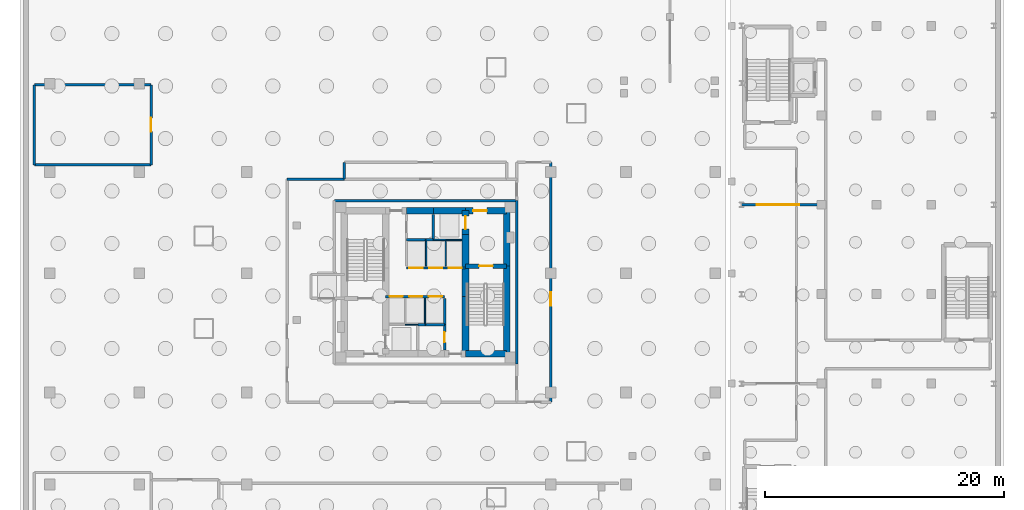
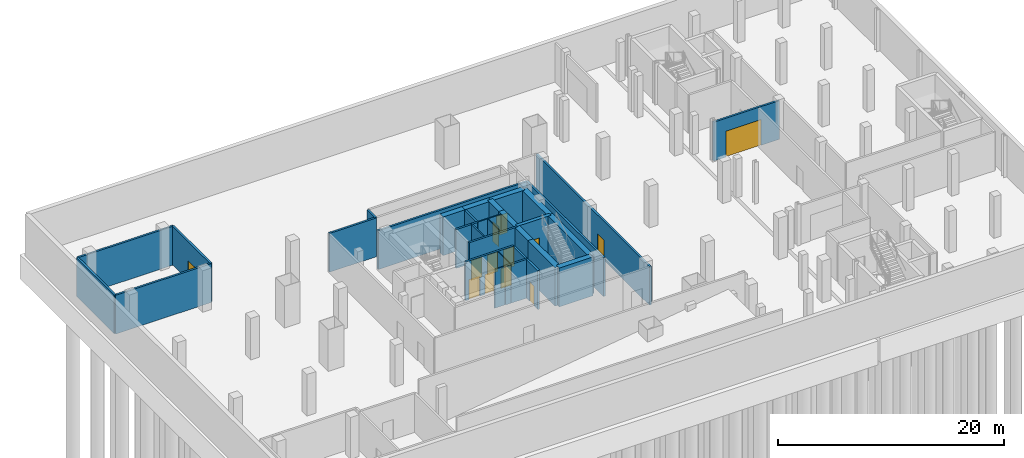
# One storey, part 8 of 15: 36 walls, 13 doors, 13 openings.
"""IFC4 building model written with IfcOpenShell, lengths in metres."""

from ifc_helpers import new_model, si_unit, direction, frame, frame_2d, origin, place, context, subcontext, project, spatial, rectangle, extrude, material, layer, layer_set, type_object, element, fill, save


model = new_model("IFC4")

# Units and contexts
model_context = context("Model", 3, precision=1e-05, world=origin(), true_north=direction((0.0, 1.0)))
body_context = subcontext(model_context, "Body", "Model", "MODEL_VIEW")
ifc_project = project(units=[si_unit("LENGTHUNIT", "METRE"), si_unit("AREAUNIT", "SQUARE_METRE"), si_unit("VOLUMEUNIT", "CUBIC_METRE"), si_unit("PLANEANGLEUNIT", "RADIAN"), si_unit("MASSUNIT", "GRAM", prefix="KILO")], contexts=[model_context])

# Site, building, storey
site_placement = place(None, origin())
site = spatial("IfcSite", under=ifc_project, at=site_placement, CompositionType="ELEMENT")
building_placement = place(site_placement, origin())
building = spatial("IfcBuilding", under=site, at=building_placement, Name="Mersakhor Tower and Convention Hall", CompositionType="ELEMENT")
storey_placement = place(building_placement, frame((0.0, 0.0, -9.0)))
storey = spatial("IfcBuildingStorey", under=building, at=storey_placement, Name="B02", CompositionType="ELEMENT", Elevation=-9.0)

# Walls
ifc_material_1 = material(Name="Lightweight gypsum partition", Category="other")
ifc_layer_1 = layer(ifc_material_1, 0.10009765625)
ifc_layer_set_1 = layer_set([ifc_layer_1], Name="Lightweight gypsum partition")
wall_type_1 = type_object("IfcWallType", Name="WL-PRT-100", PredefinedType="PARTITIONING", material=ifc_layer_set_1)
wall_1_placement = place(storey_placement, frame((27.300048828125, 23.199951171875, 0.0), z_axis=(0.0, 0.0, 1.0), x_axis=(1.0, 0.0, 0.0)))
element("IfcWall", 1, at=wall_1_placement, inside=storey, type_object=wall_type_1, Name="B02 Interior Partition Wall P-002", PredefinedType="PARTITIONING", context=body_context, shape_type="SweptSolid", body=[
    extrude(rectangle(XDim=1.050048828125, YDim=0.10009765625, at=frame_2d((0.52490234375, 0.0))), origin(), (0.0, 0.0, 1.0), 4.199951171875),
])
wall_2_placement = place(storey_placement, frame((32.02490234375, 30.300048828125, 0.0), z_axis=(0.0, 0.0, 1.0), x_axis=(-1.0, 0.0, 0.0)))
element("IfcWall", 2, at=wall_2_placement, inside=storey, type_object=wall_type_1, Name="B02 Interior Partition Wall P-004", PredefinedType="PARTITIONING", context=body_context, shape_type="SweptSolid", body=[
    extrude(rectangle(XDim=1.324951171875, YDim=0.10009765625, at=frame_2d((0.66259765625, 0.0))), origin(), (0.0, 0.0, 1.0), 4.199951171875),
])
for number, where, z_axis, x_axis, name in (
    (3, (28.949951171875, 25.39990234375, 0.0), (0.0, 0.0, 1.0), (0.0, -1.0, 0.0), "B02 Interior Partition Wall P-008"),
    (4, (30.699951171875, 30.300048828125, 0.0), (0.0, 0.0, 1.0), (0.0, -1.0, 0.0), "B02 Interior Partition Wall P-016"),
):
    element("IfcWall", number, at=place(storey_placement, frame(where, z_axis=z_axis, x_axis=x_axis)), inside=storey, type_object=wall_type_1, Name=name, PredefinedType="PARTITIONING", context=body_context, shape_type="SweptSolid", body=[
        extrude(rectangle(XDim=2.199951171875, YDim=0.10009765625, at=frame_2d((1.10009765625, 0.0))), origin(), (0.0, 0.0, 1.0), 4.199951171875),
    ])
ifc_material_2 = material(Name="Gypsum board acoustic partition", Category="other")
ifc_layer_2 = layer(ifc_material_2, 0.125)
ifc_layer_set_2 = layer_set([ifc_layer_2], Name="Gypsum board acoustic partition")
wall_type_2 = type_object("IfcWallType", Name="WL-PRT-125", PredefinedType="PARTITIONING", material=ifc_layer_set_2)
wall_3_placement = place(storey_placement, frame((30.699951171875, 30.300048828125, 0.0), z_axis=(0.0, 0.0, 1.0), x_axis=(-1.0, 0.0, 0.0)))
element("IfcWall", 5, at=wall_3_placement, inside=storey, type_object=wall_type_2, Name="B02 Interior Partition Wall P-005", PredefinedType="PARTITIONING", context=body_context, shape_type="SweptSolid", body=[
    extrude(rectangle(XDim=1.050048828125, YDim=0.125, at=frame_2d((0.52490234375, 0.0))), origin(), (0.0, 0.0, 1.0), 4.199951171875),
])
wall_4_placement = place(storey_placement, frame((29.050048828125, 30.300048828125, 0.0), z_axis=(0.0, 0.0, 1.0), x_axis=(0.0, -1.0, 0.0)))
element("IfcWall", 6, at=wall_4_placement, inside=storey, type_object=wall_type_2, Name="B02 Interior Partition Wall P-013", PredefinedType="PARTITIONING", context=body_context, shape_type="SweptSolid", body=[
    extrude(rectangle(XDim=2.199951171875, YDim=0.125, at=frame_2d((1.10009765625, 0.0))), origin(), (0.0, 0.0, 1.0), 4.199951171875),
])

# Wall, openings, doors
ifc_material_3 = material(Name="Acoustic concrete blockwork and gypsum board", Category="masonry")
ifc_layer_3 = layer(ifc_material_3, 0.199951171875)
ifc_layer_set_3 = layer_set([ifc_layer_3], Name="Acoustic concrete blockwork and gypsum board")
wall_type_3 = type_object("IfcWallType", Name="WL-PRT-200", PredefinedType="PARTITIONING", material=ifc_layer_set_3)
wall_5_placement = place(storey_placement, frame((25.64990234375, 25.550048828125, 0.0), z_axis=(0.0, 0.0, 1.0), x_axis=(1.0, 0.0, 0.0)))
wall_5 = element("IfcWall", 7, at=wall_5_placement, inside=storey, type_object=wall_type_3, Name="B02 High-Rise Lift Bank Front Wall", PredefinedType="PARTITIONING", context=body_context, shape_type="SweptSolid", body=[
    extrude(rectangle(XDim=4.9501953125, YDim=0.199951171875, at=frame_2d((2.47509765625, 0.0))), origin(), (0.0, 0.0, 1.0), 4.199951171875),
])
opening_1_placement = place(wall_5_placement, frame((0.340087890625, 0.0, 0.0)))
opening_1 = element("IfcOpeningElement", 8, at=opening_1_placement, cuts=wall_5, Name="Opening LD-P4", PredefinedType="OPENING", context=body_context, shape_type="SweptSolid", body=[
    extrude(rectangle(XDim=1.10009765625, YDim=2.14990234375, at=frame_2d((0.550048828125, 1.074951171875))), frame((0.0, 0.10986328125, 0.0), z_axis=(0.0, -1.0, 0.0), x_axis=(1.0, 0.0, 0.0)), (0.0, 0.0, 1.0), 0.219970703125),
])
opening_2_placement = place(wall_5_placement, frame((1.989990234375, 0.0, 0.0)))
opening_2 = element("IfcOpeningElement", 9, at=opening_2_placement, cuts=wall_5, Name="Opening LD-P5", PredefinedType="OPENING", context=body_context, shape_type="SweptSolid", body=[
    extrude(rectangle(XDim=1.10009765625, YDim=2.14990234375, at=frame_2d((0.550048828125, 1.074951171875))), frame((0.0, 0.10986328125, 0.0), z_axis=(0.0, -1.0, 0.0), x_axis=(1.0, 0.0, 0.0)), (0.0, 0.0, 1.0), 0.219970703125),
])
opening_3_placement = place(wall_5_placement, frame((3.639892578125, 0.0, 0.0)))
opening_3 = element("IfcOpeningElement", 10, at=opening_3_placement, cuts=wall_5, Name="Opening LD-P6", PredefinedType="OPENING", context=body_context, shape_type="SweptSolid", body=[
    extrude(rectangle(XDim=1.10009765625, YDim=2.14990234375, at=frame_2d((0.550048828125, 1.074951171875))), frame((0.0, 0.10986328125, 0.0), z_axis=(0.0, -1.0, 0.0), x_axis=(1.0, 0.0, 0.0)), (0.0, 0.0, 1.0), 0.219970703125),
])
ifc_material_4 = material(Name="Fire-rated brushed stainless steel sliding landing door", Category="steel")
door_type_1 = type_object("IfcDoorType", Name="DR-LIFT-SLD-110x215", OperationType="NOTDEFINED", PredefinedType="DOOR", material=ifc_material_4)
door_1_placement = place(opening_1_placement, origin())
door_1 = element("IfcDoor", 11, at=door_1_placement, inside=storey, type_object=door_type_1, Name="B02 Lift Landing Door LD-P4", OperationType="SLIDING_TO_LEFT", OverallHeight=2.14990234375, OverallWidth=1.10009765625, PredefinedType="DOOR", context=body_context, shape_type="SweptSolid", body=[
    extrude(rectangle(XDim=1.10009765625, YDim=2.14990234375, at=frame_2d((0.550048828125, 1.074951171875))), frame((0.0, 0.02490234375, 0.0), z_axis=(0.0, -1.0, 0.0), x_axis=(1.0, 0.0, 0.0)), (0.0, 0.0, 1.0), 0.050048828125),
])
fill(opening_1, door_1)
door_2_placement = place(opening_2_placement, origin())
door_2 = element("IfcDoor", 12, at=door_2_placement, inside=storey, type_object=door_type_1, Name="B02 Lift Landing Door LD-P5", OperationType="SLIDING_TO_LEFT", OverallHeight=2.14990234375, OverallWidth=1.10009765625, PredefinedType="DOOR", context=body_context, shape_type="SweptSolid", body=[
    extrude(rectangle(XDim=1.10009765625, YDim=2.14990234375, at=frame_2d((0.550048828125, 1.074951171875))), frame((0.0, 0.02490234375, 0.0), z_axis=(0.0, -1.0, 0.0), x_axis=(1.0, 0.0, 0.0)), (0.0, 0.0, 1.0), 0.050048828125),
])
fill(opening_2, door_2)
door_3_placement = place(opening_3_placement, origin())
door_3 = element("IfcDoor", 13, at=door_3_placement, inside=storey, type_object=door_type_1, Name="B02 Lift Landing Door LD-P6", OperationType="SLIDING_TO_LEFT", OverallHeight=2.14990234375, OverallWidth=1.10009765625, PredefinedType="DOOR", context=body_context, shape_type="SweptSolid", body=[
    extrude(rectangle(XDim=1.10009765625, YDim=2.14990234375, at=frame_2d((0.550048828125, 1.074951171875))), frame((0.0, 0.02490234375, 0.0), z_axis=(0.0, -1.0, 0.0), x_axis=(1.0, 0.0, 0.0)), (0.0, 0.0, 1.0), 0.050048828125),
])
fill(opening_3, door_3)

wall_6_placement = place(storey_placement, frame((27.39990234375, 27.949951171875, 0.0), z_axis=(0.0, 0.0, 1.0), x_axis=(1.0, 0.0, 0.0)))
wall_6 = element("IfcWall", 14, at=wall_6_placement, inside=storey, type_object=wall_type_3, Name="B02 Low-Rise Lift Bank Front Wall", PredefinedType="PARTITIONING", context=body_context, shape_type="SweptSolid", body=[
    extrude(rectangle(XDim=4.9501953125, YDim=0.199951171875, at=frame_2d((2.47509765625, 0.0))), origin(), (0.0, 0.0, 1.0), 4.199951171875),
])
opening_4_placement = place(wall_6_placement, frame((0.25, 0.0, 0.0)))
opening_4 = element("IfcOpeningElement", 15, at=opening_4_placement, cuts=wall_6, Name="Opening LD-P1", PredefinedType="OPENING", context=body_context, shape_type="SweptSolid", body=[
    extrude(rectangle(XDim=1.10009765625, YDim=2.14990234375, at=frame_2d((0.550048828125, 1.074951171875))), frame((0.0, 0.10986328125, 0.0), z_axis=(0.0, -1.0, 0.0), x_axis=(1.0, 0.0, 0.0)), (0.0, 0.0, 1.0), 0.219970703125),
])
opening_5_placement = place(wall_6_placement, frame((1.89990234375, 0.0, 0.0)))
opening_5 = element("IfcOpeningElement", 16, at=opening_5_placement, cuts=wall_6, Name="Opening LD-P2", PredefinedType="OPENING", context=body_context, shape_type="SweptSolid", body=[
    extrude(rectangle(XDim=1.10009765625, YDim=2.14990234375, at=frame_2d((0.550048828125, 1.074951171875))), frame((0.0, 0.10986328125, 0.0), z_axis=(0.0, -1.0, 0.0), x_axis=(1.0, 0.0, 0.0)), (0.0, 0.0, 1.0), 0.219970703125),
])
opening_6_placement = place(wall_6_placement, frame((3.550048828125, 0.0, 0.0)))
opening_6 = element("IfcOpeningElement", 17, at=opening_6_placement, cuts=wall_6, Name="Opening LD-P3", PredefinedType="OPENING", context=body_context, shape_type="SweptSolid", body=[
    extrude(rectangle(XDim=1.10009765625, YDim=2.14990234375, at=frame_2d((0.550048828125, 1.074951171875))), frame((0.0, 0.10986328125, 0.0), z_axis=(0.0, -1.0, 0.0), x_axis=(1.0, 0.0, 0.0)), (0.0, 0.0, 1.0), 0.219970703125),
])
door_4_placement = place(opening_4_placement, origin())
door_4 = element("IfcDoor", 18, at=door_4_placement, inside=storey, type_object=door_type_1, Name="B02 Lift Landing Door LD-P1", OperationType="SLIDING_TO_LEFT", OverallHeight=2.14990234375, OverallWidth=1.10009765625, PredefinedType="DOOR", context=body_context, shape_type="SweptSolid", body=[
    extrude(rectangle(XDim=1.10009765625, YDim=2.14990234375, at=frame_2d((0.550048828125, 1.074951171875))), frame((0.0, 0.02490234375, 0.0), z_axis=(0.0, -1.0, 0.0), x_axis=(1.0, 0.0, 0.0)), (0.0, 0.0, 1.0), 0.050048828125),
])
fill(opening_4, door_4)
door_5_placement = place(opening_5_placement, origin())
door_5 = element("IfcDoor", 19, at=door_5_placement, inside=storey, type_object=door_type_1, Name="B02 Lift Landing Door LD-P2", OperationType="SLIDING_TO_LEFT", OverallHeight=2.14990234375, OverallWidth=1.10009765625, PredefinedType="DOOR", context=body_context, shape_type="SweptSolid", body=[
    extrude(rectangle(XDim=1.10009765625, YDim=2.14990234375, at=frame_2d((0.550048828125, 1.074951171875))), frame((0.0, 0.02490234375, 0.0), z_axis=(0.0, -1.0, 0.0), x_axis=(1.0, 0.0, 0.0)), (0.0, 0.0, 1.0), 0.050048828125),
])
fill(opening_5, door_5)
door_6_placement = place(opening_6_placement, origin())
door_6 = element("IfcDoor", 20, at=door_6_placement, inside=storey, type_object=door_type_1, Name="B02 Lift Landing Door LD-P3", OperationType="SLIDING_TO_LEFT", OverallHeight=2.14990234375, OverallWidth=1.10009765625, PredefinedType="DOOR", context=body_context, shape_type="SweptSolid", body=[
    extrude(rectangle(XDim=1.10009765625, YDim=2.14990234375, at=frame_2d((0.550048828125, 1.074951171875))), frame((0.0, 0.02490234375, 0.0), z_axis=(0.0, -1.0, 0.0), x_axis=(1.0, 0.0, 0.0)), (0.0, 0.0, 1.0), 0.050048828125),
])
fill(opening_6, door_6)

# Wall, opening, door
wall_7_placement = place(storey_placement, frame((55.5, 33.25, 0.0), z_axis=(0.0, 0.0, 1.0), x_axis=(1.0, 0.0, 0.0)))
wall_7 = element("IfcWall", 21, at=wall_7_placement, inside=storey, type_object=wall_type_3, Name="B02 Basement Fire Compartment Wall FG-3", PredefinedType="PARTITIONING", context=body_context, shape_type="SweptSolid", body=[
    extrude(rectangle(XDim=6.699951171875, YDim=0.199951171875, at=frame_2d((3.35009765625, 0.0))), origin(), (0.0, 0.0, 1.0), 4.199951171875),
])
opening_7_placement = place(wall_7_placement, frame((1.25, 0.0, 0.0)))
opening_7 = element("IfcOpeningElement", 22, at=opening_7_placement, cuts=wall_7, Name="Opening GATE-03", PredefinedType="OPENING", context=body_context, shape_type="SweptSolid", body=[
    extrude(rectangle(XDim=3.60009765625, YDim=2.800048828125, at=frame_2d((1.800048828125, 1.39990234375))), frame((0.0, 0.10986328125, 0.0), z_axis=(0.0, -1.0, 0.0), x_axis=(1.0, 0.0, 0.0)), (0.0, 0.0, 1.0), 0.219970703125),
])
ifc_material_5 = material(Name="Thermally broken dark aluminium and safety glass", Category="aluminium")
door_type_2 = type_object("IfcDoorType", Name="DR-GATE-BSM-360x280", OperationType="NOTDEFINED", PredefinedType="GATE", material=ifc_material_5)
door_7_placement = place(opening_7_placement, origin())
door_7 = element("IfcDoor", 23, at=door_7_placement, inside=storey, type_object=door_type_2, Name="B02 Basement Compartment Fire Shutter Gate BG-3", OperationType="ROLLINGUP", OverallHeight=2.800048828125, OverallWidth=3.60009765625, PredefinedType="GATE", context=body_context, shape_type="SweptSolid", body=[
    extrude(rectangle(XDim=3.60009765625, YDim=2.800048828125, at=frame_2d((1.800048828125, 1.39990234375))), frame((0.0, 0.02490234375, 0.0), z_axis=(0.0, -1.0, 0.0), x_axis=(1.0, 0.0, 0.0)), (0.0, 0.0, 1.0), 0.050048828125),
])
fill(opening_7, door_7)

# Walls
wall_8_placement = place(storey_placement, frame((29.64990234375, 30.300048828125, 0.0), z_axis=(0.0, 0.0, 1.0), x_axis=(0.0, 1.0, 0.0)))
element("IfcWall", 24, at=wall_8_placement, inside=storey, type_object=wall_type_3, Name="B02 Interior Partition Wall P-006", PredefinedType="PARTITIONING", context=body_context, shape_type="SweptSolid", body=[
    extrude(rectangle(XDim=2.125, YDim=0.199951171875, at=frame_2d((1.0625, 0.0))), origin(), (0.0, 0.0, 1.0), 4.199951171875),
])
wall_9_placement = place(storey_placement, frame((28.949951171875, 23.199951171875, 0.0), z_axis=(0.0, 0.0, 1.0), x_axis=(-1.0, 0.0, 0.0)))
element("IfcWall", 25, at=wall_9_placement, inside=storey, type_object=wall_type_3, Name="B02 Interior Partition Wall P-009", PredefinedType="PARTITIONING", context=body_context, shape_type="SweptSolid", body=[
    extrude(rectangle(XDim=0.570068359375, YDim=0.199951171875, at=frame_2d((0.28515625, 0.0))), origin(), (0.0, 0.0, 1.0), 4.199951171875),
])
wall_10_placement = place(storey_placement, frame((30.60009765625, 25.39990234375, 0.0), z_axis=(0.0, 0.0, 1.0), x_axis=(0.0, -1.0, 0.0)))
element("IfcWall", 26, at=wall_10_placement, inside=storey, type_object=wall_type_3, Name="B02 Interior Partition Wall P-010", PredefinedType="PARTITIONING", context=body_context, shape_type="SweptSolid", body=[
    extrude(rectangle(XDim=2.199951171875, YDim=0.199951171875, at=frame_2d((1.10009765625, 0.0))), origin(), (0.0, 0.0, 1.0), 4.199951171875),
])
for number, where, z_axis, x_axis, name in (
    (27, (30.60009765625, 23.199951171875, 0.0), (0.0, 0.0, 1.0), (-1.0, 0.0, 0.0), "B02 Interior Partition Wall P-011"),
    (28, (27.39990234375, 30.300048828125, 0.0), (0.0, 0.0, 1.0), (1.0, 0.0, 0.0), "B02 Interior Partition Wall P-012"),
):
    element("IfcWall", number, at=place(storey_placement, frame(where, z_axis=z_axis, x_axis=x_axis)), inside=storey, type_object=wall_type_3, Name=name, PredefinedType="PARTITIONING", context=body_context, shape_type="SweptSolid", body=[
        extrude(rectangle(XDim=1.650146484375, YDim=0.199951171875, at=frame_2d((0.8251953125, 0.0))), origin(), (0.0, 0.0, 1.0), 4.199951171875),
    ])
wall_11_placement = place(storey_placement, frame((29.050048828125, 30.300048828125, 0.0), z_axis=(0.0, 0.0, 1.0), x_axis=(1.0, 0.0, 0.0)))
element("IfcWall", 29, at=wall_11_placement, inside=storey, type_object=wall_type_3, Name="B02 Interior Partition Wall P-015", PredefinedType="PARTITIONING", context=body_context, shape_type="SweptSolid", body=[
    extrude(rectangle(XDim=0.570068359375, YDim=0.199951171875, at=frame_2d((0.28515625, 0.0))), origin(), (0.0, 0.0, 1.0), 4.199951171875),
])

# Wall, opening, door
wall_12_placement = place(storey_placement, frame((30.60009765625, 21.074951171875, 0.0), z_axis=(0.0, 0.0, 1.0), x_axis=(0.0, 1.0, 0.0)))
wall_12 = element("IfcWall", 30, at=wall_12_placement, inside=storey, type_object=wall_type_3, Name="B02 Interior Partition Wall P-017", PredefinedType="PARTITIONING", context=body_context, shape_type="SweptSolid", body=[
    extrude(rectangle(XDim=2.125, YDim=0.199951171875, at=frame_2d((1.0625, 0.0))), origin(), (0.0, 0.0, 1.0), 4.199951171875),
])
opening_8_placement = place(wall_12_placement, frame((0.637451171875, 0.0, 0.0)))
opening_8 = element("IfcOpeningElement", 31, at=opening_8_placement, cuts=wall_12, Name="Opening SVD-01", PredefinedType="OPENING", context=body_context, shape_type="SweptSolid", body=[
    extrude(rectangle(XDim=0.85009765625, YDim=2.10009765625, at=frame_2d((0.425048828125, 1.050048828125))), frame((0.0, 0.10986328125, 0.0), z_axis=(0.0, -1.0, 0.0), x_axis=(1.0, 0.0, 0.0)), (0.0, 0.0, 1.0), 0.219970703125),
])
ifc_material_6 = material(Name="Fire-rated hardwood leaf and painted steel frame", Category="steel")
door_type_3 = type_object("IfcDoorType", Name="DR-INT-SVC-085x210", OperationType="NOTDEFINED", PredefinedType="DOOR", material=ifc_material_6)
door_8_placement = place(opening_8_placement, origin())
door_8 = element("IfcDoor", 32, at=door_8_placement, inside=storey, type_object=door_type_3, Name="B02 Central Passenger Lift Lobby to Electrical Switchroom Door", OperationType="SINGLE_SWING_RIGHT", OverallHeight=2.10009765625, OverallWidth=0.85009765625, PredefinedType="DOOR", context=body_context, shape_type="SweptSolid", body=[
    extrude(rectangle(XDim=0.85009765625, YDim=2.10009765625, at=frame_2d((0.425048828125, 1.050048828125))), frame((0.0, 0.02490234375, 0.0), z_axis=(0.0, -1.0, 0.0), x_axis=(1.0, 0.0, 0.0)), (0.0, 0.0, 1.0), 0.050048828125),
])
fill(opening_8, door_8)

# Walls
wall_13_placement = place(storey_placement, frame((17.39990234375, 35.39990234375, 0.0), z_axis=(0.0, 0.0, 1.0), x_axis=(1.0, 0.0, 0.0)))
element("IfcWall", 33, at=wall_13_placement, inside=storey, type_object=wall_type_3, Name="B02 Interior Partition Wall P-020", PredefinedType="PARTITIONING", context=body_context, shape_type="SweptSolid", body=[
    extrude(rectangle(XDim=4.800048828125, YDim=0.199951171875, at=frame_2d((2.39990234375, 0.0))), origin(), (0.0, 0.0, 1.0), 4.199951171875),
])
wall_14_placement = place(storey_placement, frame((36.64990234375, 33.60009765625, 0.0), z_axis=(0.0, 0.0, 1.0), x_axis=(-1.0, 0.0, 0.0)))
element("IfcWall", 34, at=wall_14_placement, inside=storey, type_object=wall_type_3, Name="B02 Interior Partition Wall P-024", PredefinedType="PARTITIONING", context=body_context, shape_type="SweptSolid", body=[
    extrude(rectangle(XDim=15.2998046875, YDim=0.199951171875, at=frame_2d((7.64990234375, 0.0))), origin(), (0.0, 0.0, 1.0), 4.199951171875),
])

# Wall, opening, door
wall_15_placement = place(storey_placement, frame((39.5, 36.800048828125, 0.0), z_axis=(0.0, 0.0, 1.0), x_axis=(0.0, -1.0, 0.0)))
wall_15 = element("IfcWall", 35, at=wall_15_placement, inside=storey, type_object=wall_type_3, Name="B02 Interior Partition Wall P-030", PredefinedType="PARTITIONING", context=body_context, shape_type="SweptSolid", body=[
    extrude(rectangle(XDim=20.10009765625, YDim=0.199951171875, at=frame_2d((10.050048828125, 0.0))), origin(), (0.0, 0.0, 1.0), 4.199951171875),
])
opening_9_placement = place(wall_15_placement, frame((10.88427734375, 0.0, 0.0)))
opening_9 = element("IfcOpeningElement", 36, at=opening_9_placement, cuts=wall_15, Name="Opening SD-01", PredefinedType="OPENING", context=body_context, shape_type="SweptSolid", body=[
    extrude(rectangle(XDim=1.14990234375, YDim=2.14990234375, at=frame_2d((0.574951171875, 1.074951171875))), frame((0.0, 0.10986328125, 0.0), z_axis=(0.0, -1.0, 0.0), x_axis=(1.0, 0.0, 0.0)), (0.0, 0.0, 1.0), 0.219970703125),
])
ifc_material_7 = material(Name="Fire-rated hardwood leaf and painted steel frame", Category="steel")
door_type_4 = type_object("IfcDoorType", Name="DR-INT-STAIR-115x215", OperationType="NOTDEFINED", PredefinedType="DOOR", material=ifc_material_7)
door_9_placement = place(opening_9_placement, origin())
door_9 = element("IfcDoor", 37, at=door_9_placement, inside=storey, type_object=door_type_4, Name="B02 Basement Core Access Corridor East to Two-Way Basement Drive Aisle AISLE-E Door", OperationType="SINGLE_SWING_RIGHT", OverallHeight=2.14990234375, OverallWidth=1.14990234375, PredefinedType="DOOR", context=body_context, shape_type="SweptSolid", body=[
    extrude(rectangle(XDim=1.14990234375, YDim=2.14990234375, at=frame_2d((0.574951171875, 1.074951171875))), frame((0.0, 0.02490234375, 0.0), z_axis=(0.0, -1.0, 0.0), x_axis=(1.0, 0.0, 0.0)), (0.0, 0.0, 1.0), 0.050048828125),
])
fill(opening_9, door_9)

# Walls
wall_16_placement = place(storey_placement, frame((36.64990234375, 19.89990234375, 0.0), z_axis=(0.0, 0.0, 1.0), x_axis=(0.0, 1.0, 0.0)))
element("IfcWall", 38, at=wall_16_placement, inside=storey, type_object=wall_type_3, Name="B02 Interior Partition Wall P-032", PredefinedType="PARTITIONING", context=body_context, shape_type="SweptSolid", body=[
    extrude(rectangle(XDim=13.7001953125, YDim=0.199951171875, at=frame_2d((6.85009765625, 0.0))), origin(), (0.0, 0.0, 1.0), 4.199951171875),
])
wall_17_placement = place(storey_placement, frame((-3.800048828125, 43.300048828125, 0.0), z_axis=(0.0, 0.0, 1.0), x_axis=(1.0, 0.0, 0.0)))
element("IfcWall", 39, at=wall_17_placement, inside=storey, type_object=wall_type_3, Name="B02 Interior Partition Wall P-061", PredefinedType="PARTITIONING", context=body_context, shape_type="SweptSolid", body=[
    extrude(rectangle(XDim=9.800048828125, YDim=0.199951171875, at=frame_2d((4.89990234375, 0.0))), origin(), (0.0, 0.0, 1.0), 4.199951171875),
])

# Wall, opening, door
wall_18_placement = place(storey_placement, frame((6.0, 43.300048828125, 0.0), z_axis=(0.0, 0.0, 1.0), x_axis=(0.0, -1.0, 0.0)))
wall_18 = element("IfcWall", 40, at=wall_18_placement, inside=storey, type_object=wall_type_3, Name="B02 Interior Partition Wall P-062", PredefinedType="PARTITIONING", context=body_context, shape_type="SweptSolid", body=[
    extrude(rectangle(XDim=6.699951171875, YDim=0.199951171875, at=frame_2d((3.35009765625, 0.0))), origin(), (0.0, 0.0, 1.0), 4.199951171875),
])
opening_10_placement = place(wall_18_placement, frame((2.77490234375, 0.0, 0.0)))
opening_10 = element("IfcOpeningElement", 41, at=opening_10_placement, cuts=wall_18, Name="Opening SD-01", PredefinedType="OPENING", context=body_context, shape_type="SweptSolid", body=[
    extrude(rectangle(XDim=1.14990234375, YDim=2.14990234375, at=frame_2d((0.574951171875, 1.074951171875))), frame((0.0, 0.10986328125, 0.0), z_axis=(0.0, -1.0, 0.0), x_axis=(1.0, 0.0, 0.0)), (0.0, 0.0, 1.0), 0.219970703125),
])
door_10_placement = place(opening_10_placement, origin())
door_10 = element("IfcDoor", 42, at=door_10_placement, inside=storey, type_object=door_type_4, Name="B02 Two-Way Basement Drive Aisle AISLE-W to HV Transformer and Main LV Switchgear Substation Door", OperationType="SINGLE_SWING_RIGHT", OverallHeight=2.14990234375, OverallWidth=1.14990234375, PredefinedType="DOOR", context=body_context, shape_type="SweptSolid", body=[
    extrude(rectangle(XDim=1.14990234375, YDim=2.14990234375, at=frame_2d((0.574951171875, 1.074951171875))), frame((0.0, 0.02490234375, 0.0), z_axis=(0.0, -1.0, 0.0), x_axis=(1.0, 0.0, 0.0)), (0.0, 0.0, 1.0), 0.050048828125),
])
fill(opening_10, door_10)

# Walls
wall_19_placement = place(storey_placement, frame((6.0, 36.60009765625, 0.0), z_axis=(0.0, 0.0, 1.0), x_axis=(-1.0, 0.0, 0.0)))
element("IfcWall", 43, at=wall_19_placement, inside=storey, type_object=wall_type_3, Name="B02 Interior Partition Wall P-063", PredefinedType="PARTITIONING", context=body_context, shape_type="SweptSolid", body=[
    extrude(rectangle(XDim=9.800048828125, YDim=0.199951171875, at=frame_2d((4.89990234375, 0.0))), origin(), (0.0, 0.0, 1.0), 4.199951171875),
])
wall_20_placement = place(storey_placement, frame((-3.800048828125, 36.60009765625, 0.0), z_axis=(0.0, 0.0, 1.0), x_axis=(0.0, 1.0, 0.0)))
element("IfcWall", 44, at=wall_20_placement, inside=storey, type_object=wall_type_3, Name="B02 Interior Partition Wall P-064", PredefinedType="PARTITIONING", context=body_context, shape_type="SweptSolid", body=[
    extrude(rectangle(XDim=6.699951171875, YDim=0.199951171875, at=frame_2d((3.35009765625, 0.0))), origin(), (0.0, 0.0, 1.0), 4.199951171875),
])
wall_21_placement = place(storey_placement, frame((22.199951171875, 35.39990234375, 0.0), z_axis=(0.0, 0.0, 1.0), x_axis=(0.0, 1.0, 0.0)))
element("IfcWall", 45, at=wall_21_placement, inside=storey, type_object=wall_type_3, Name="B02 Interior Partition Wall P-067", PredefinedType="PARTITIONING", context=body_context, shape_type="SweptSolid", body=[
    extrude(rectangle(XDim=1.400146484375, YDim=0.199951171875, at=frame_2d((0.7001953125, 0.0))), origin(), (0.0, 0.0, 1.0), 4.199951171875),
])

# Wall, opening, door
ifc_material_8 = material(Name="Concrete C50/60", Category="concrete")
ifc_layer_4 = layer(ifc_material_8, 0.35009765625)
ifc_layer_set_4 = layer_set([ifc_layer_4], Name="Concrete C50/60")
wall_type_4 = type_object("IfcWallType", Name="WL-SHR-350", PredefinedType="SHEAR", material=ifc_layer_set_4)
wall_22_placement = place(storey_placement, frame((32.35009765625, 28.10009765625, 0.0), z_axis=(0.0, 0.0, 1.0), x_axis=(1.0, 0.0, 0.0)))
wall_22 = element("IfcWall", 46, at=wall_22_placement, inside=storey, type_object=wall_type_4, Name="B02 Core Wall CS-ST2-N", PredefinedType="SHEAR", context=body_context, shape_type="SweptSolid", body=[
    extrude(rectangle(XDim=3.449951171875, YDim=0.35009765625, at=frame_2d((1.72509765625, 0.0))), origin(), (0.0, 0.0, 1.0), 4.199951171875),
])
opening_11_placement = place(wall_22_placement, frame((1.14990234375, 0.0, 0.0)))
opening_11 = element("IfcOpeningElement", 47, at=opening_11_placement, cuts=wall_22, Name="Opening SD-01", PredefinedType="OPENING", context=body_context, shape_type="SweptSolid", body=[
    extrude(rectangle(XDim=1.14990234375, YDim=2.14990234375, at=frame_2d((0.574951171875, 1.074951171875))), frame((0.0, 0.18505859375, 0.0), z_axis=(0.0, -1.0, 0.0), x_axis=(1.0, 0.0, 0.0)), (0.0, 0.0, 1.0), 0.3701171875),
])
door_11_placement = place(opening_11_placement, origin())
door_11 = element("IfcDoor", 48, at=door_11_placement, inside=storey, type_object=door_type_4, Name="B02 Exit Stair ST-2 Enclosure Door", OperationType="SINGLE_SWING_RIGHT", OverallHeight=2.14990234375, OverallWidth=1.14990234375, PredefinedType="DOOR", context=body_context, shape_type="SweptSolid", body=[
    extrude(rectangle(XDim=1.14990234375, YDim=2.14990234375, at=frame_2d((0.574951171875, 1.074951171875))), frame((0.0, 0.02490234375, 0.0), z_axis=(0.0, -1.0, 0.0), x_axis=(1.0, 0.0, 0.0)), (0.0, 0.0, 1.0), 0.050048828125),
])
fill(opening_11, door_11)

# Walls
ifc_material_9 = material(Name="Concrete C70/85", Category="concrete")
ifc_layer_5 = layer(ifc_material_9, 0.550048828125)
ifc_layer_set_5 = layer_set([ifc_layer_5], Name="Concrete C70/85")
wall_type_5 = type_object("IfcWallType", Name="WL-SHR-550", PredefinedType="SHEAR", material=ifc_layer_set_5)
wall_23_placement = place(storey_placement, frame((27.39990234375, 32.75, 0.0), z_axis=(0.0, 0.0, 1.0), x_axis=(1.0, 0.0, 0.0)))
element("IfcWall", 49, at=wall_23_placement, inside=storey, type_object=wall_type_5, Name="B02 Core Wall CW-N2B", PredefinedType="SHEAR", context=body_context, shape_type="SweptSolid", body=[
    extrude(rectangle(XDim=2.25, YDim=0.550048828125, at=frame_2d((1.125, 0.0))), origin(), (0.0, 0.0, 1.0), 4.199951171875),
])
wall_24_placement = place(storey_placement, frame((29.64990234375, 32.75, 0.0), z_axis=(0.0, 0.0, 1.0), x_axis=(1.0, 0.0, 0.0)))
element("IfcWall", 50, at=wall_24_placement, inside=storey, type_object=wall_type_5, Name="B02 Core Wall CW-N3", PredefinedType="SHEAR", context=body_context, shape_type="SweptSolid", body=[
    extrude(rectangle(XDim=2.7001953125, YDim=0.550048828125, at=frame_2d((1.35009765625, 0.0))), origin(), (0.0, 0.0, 1.0), 4.199951171875),
])

# Wall, opening, door
wall_25_placement = place(storey_placement, frame((32.35009765625, 32.75, 0.0), z_axis=(0.0, 0.0, 1.0), x_axis=(1.0, 0.0, 0.0)))
wall_25 = element("IfcWall", 51, at=wall_25_placement, inside=storey, type_object=wall_type_5, Name="B02 Core Wall CW-N4", PredefinedType="SHEAR", context=body_context, shape_type="SweptSolid", body=[
    extrude(rectangle(XDim=3.449951171875, YDim=0.550048828125, at=frame_2d((1.72509765625, 0.0))), origin(), (0.0, 0.0, 1.0), 4.199951171875),
])
opening_12_placement = place(wall_25_placement, frame((0.64990234375, 0.0, 0.0)))
opening_12 = element("IfcOpeningElement", 52, at=opening_12_placement, cuts=wall_25, Name="Opening SD-01", PredefinedType="OPENING", context=body_context, shape_type="SweptSolid", body=[
    extrude(rectangle(XDim=1.14990234375, YDim=2.14990234375, at=frame_2d((0.574951171875, 1.074951171875))), frame((0.0, 0.284912109375, 0.0), z_axis=(0.0, -1.0, 0.0), x_axis=(1.0, 0.0, 0.0)), (0.0, 0.0, 1.0), 0.570068359375),
])
door_12_placement = place(opening_12_placement, origin())
door_12 = element("IfcDoor", 53, at=door_12_placement, inside=storey, type_object=door_type_4, Name="B02 Firefighting Lobby East Fire Door", OperationType="SINGLE_SWING_RIGHT", OverallHeight=2.14990234375, OverallWidth=1.14990234375, PredefinedType="DOOR", context=body_context, shape_type="SweptSolid", body=[
    extrude(rectangle(XDim=1.14990234375, YDim=2.14990234375, at=frame_2d((0.574951171875, 1.074951171875))), frame((0.0, 0.02490234375, 0.0), z_axis=(0.0, -1.0, 0.0), x_axis=(1.0, 0.0, 0.0)), (0.0, 0.0, 1.0), 0.050048828125),
])
fill(opening_12, door_12)

# Walls
wall_26_placement = place(storey_placement, frame((35.800048828125, 32.75, 0.0), z_axis=(0.0, 0.0, 1.0), x_axis=(0.0, -1.0, 0.0)))
element("IfcWall", 54, at=wall_26_placement, inside=storey, type_object=wall_type_5, Name="B02 Core Wall CW-E1", PredefinedType="SHEAR", context=body_context, shape_type="SweptSolid", body=[
    extrude(rectangle(XDim=4.64990234375, YDim=0.550048828125, at=frame_2d((2.324951171875, 0.0))), origin(), (0.0, 0.0, 1.0), 4.199951171875),
])
wall_27_placement = place(storey_placement, frame((35.800048828125, 28.10009765625, 0.0), z_axis=(0.0, 0.0, 1.0), x_axis=(0.0, -1.0, 0.0)))
element("IfcWall", 55, at=wall_27_placement, inside=storey, type_object=wall_type_5, Name="B02 Core Wall CW-E2", PredefinedType="SHEAR", context=body_context, shape_type="SweptSolid", body=[
    extrude(rectangle(XDim=7.35009765625, YDim=0.550048828125, at=frame_2d((3.675048828125, 0.0))), origin(), (0.0, 0.0, 1.0), 4.199951171875),
])
wall_28_placement = place(storey_placement, frame((35.800048828125, 20.75, 0.0), z_axis=(0.0, 0.0, 1.0), x_axis=(-1.0, 0.0, 0.0)))
element("IfcWall", 56, at=wall_28_placement, inside=storey, type_object=wall_type_5, Name="B02 Core Wall CW-S1", PredefinedType="SHEAR", context=body_context, shape_type="SweptSolid", body=[
    extrude(rectangle(XDim=3.449951171875, YDim=0.550048828125, at=frame_2d((1.72509765625, 0.0))), origin(), (0.0, 0.0, 1.0), 4.199951171875),
])
wall_29_placement = place(storey_placement, frame((32.35009765625, 20.75, 0.0), z_axis=(0.0, 0.0, 1.0), x_axis=(0.0, 1.0, 0.0)))
element("IfcWall", 57, at=wall_29_placement, inside=storey, type_object=wall_type_5, Name="B02 Core Wall CS-E-ST2", PredefinedType="SHEAR", context=body_context, shape_type="SweptSolid", body=[
    extrude(rectangle(XDim=4.800048828125, YDim=0.550048828125, at=frame_2d((2.39990234375, 0.0))), origin(), (0.0, 0.0, 1.0), 4.199951171875),
])
wall_30_placement = place(storey_placement, frame((32.35009765625, 25.550048828125, 0.0), z_axis=(0.0, 0.0, 1.0), x_axis=(0.0, 1.0, 0.0)))
element("IfcWall", 58, at=wall_30_placement, inside=storey, type_object=wall_type_5, Name="B02 Core Wall CS-E-LOB", PredefinedType="SHEAR", context=body_context, shape_type="SweptSolid", body=[
    extrude(rectangle(XDim=2.39990234375, YDim=0.550048828125, at=frame_2d((1.199951171875, 0.0))), origin(), (0.0, 0.0, 1.0), 4.199951171875),
])
wall_31_placement = place(storey_placement, frame((32.35009765625, 27.949951171875, 0.0), z_axis=(0.0, 0.0, 1.0), x_axis=(0.0, 1.0, 0.0)))
element("IfcWall", 59, at=wall_31_placement, inside=storey, type_object=wall_type_5, Name="B02 Core Wall CS-E-MID", PredefinedType="SHEAR", context=body_context, shape_type="SweptSolid", body=[
    extrude(rectangle(XDim=2.800048828125, YDim=0.550048828125, at=frame_2d((1.39990234375, 0.0))), origin(), (0.0, 0.0, 1.0), 4.199951171875),
])

# Wall, opening, door
wall_32_placement = place(storey_placement, frame((32.35009765625, 30.75, 0.0), z_axis=(0.0, 0.0, 1.0), x_axis=(0.0, 1.0, 0.0)))
wall_32 = element("IfcWall", 60, at=wall_32_placement, inside=storey, type_object=wall_type_5, Name="B02 Core Wall CS-E-FFL", PredefinedType="SHEAR", context=body_context, shape_type="SweptSolid", body=[
    extrude(rectangle(XDim=2.0, YDim=0.550048828125, at=frame_2d((1.0, 0.0))), origin(), (0.0, 0.0, 1.0), 4.199951171875),
])
opening_13_placement = place(wall_32_placement, frame((0.449951171875, 0.0, 0.0)))
opening_13 = element("IfcOpeningElement", 61, at=opening_13_placement, cuts=wall_32, Name="Opening LD-FFL2", PredefinedType="OPENING", context=body_context, shape_type="SweptSolid", body=[
    extrude(rectangle(XDim=1.10009765625, YDim=2.14990234375, at=frame_2d((0.550048828125, 1.074951171875))), frame((0.0, 0.284912109375, 0.0), z_axis=(0.0, -1.0, 0.0), x_axis=(1.0, 0.0, 0.0)), (0.0, 0.0, 1.0), 0.570068359375),
])
door_13_placement = place(opening_13_placement, origin())
door_13 = element("IfcDoor", 62, at=door_13_placement, inside=storey, type_object=door_type_1, Name="B02 Firefighting Lift Landing Door LD-FFL2", OperationType="SLIDING_TO_LEFT", OverallHeight=2.14990234375, OverallWidth=1.10009765625, PredefinedType="DOOR", context=body_context, shape_type="SweptSolid", body=[
    extrude(rectangle(XDim=1.10009765625, YDim=2.14990234375, at=frame_2d((0.550048828125, 1.074951171875))), frame((0.0, 0.02490234375, 0.0), z_axis=(0.0, -1.0, 0.0), x_axis=(1.0, 0.0, 0.0)), (0.0, 0.0, 1.0), 0.050048828125),
])
fill(opening_13, door_13)

save(model, "model.ifc")
